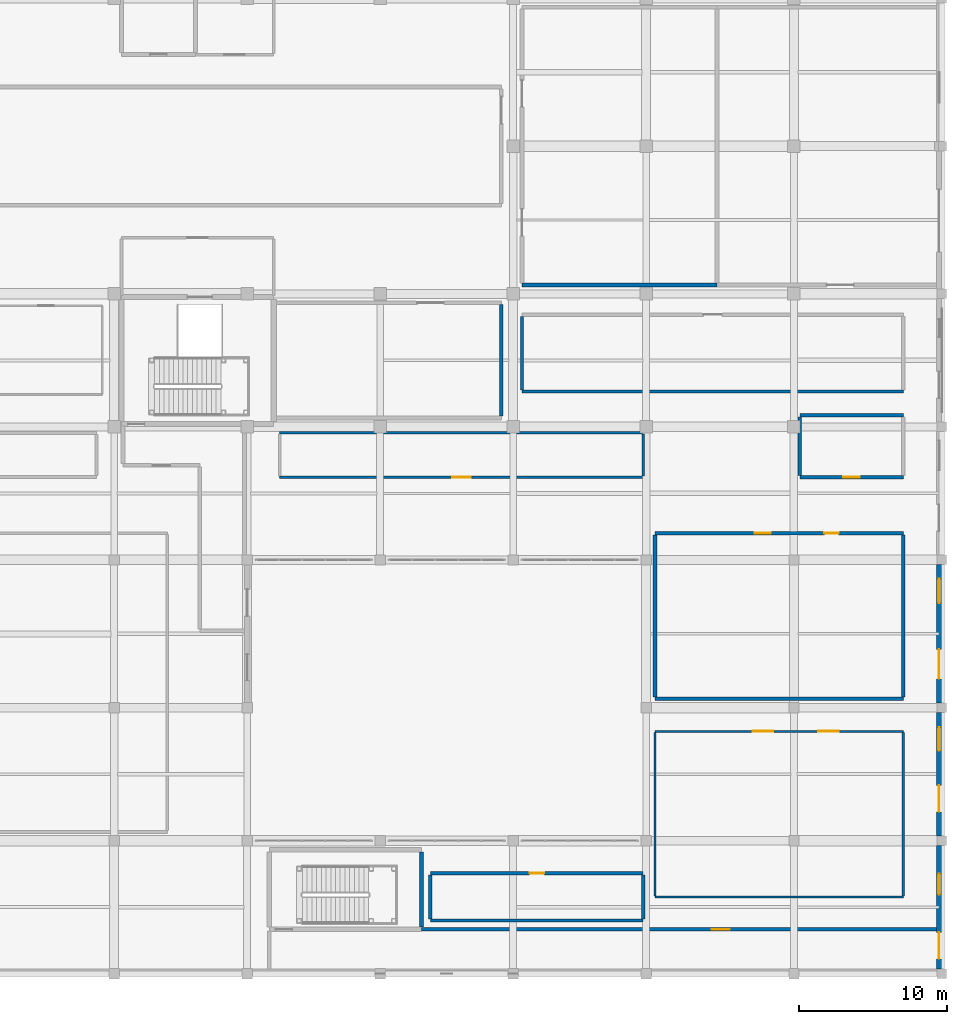
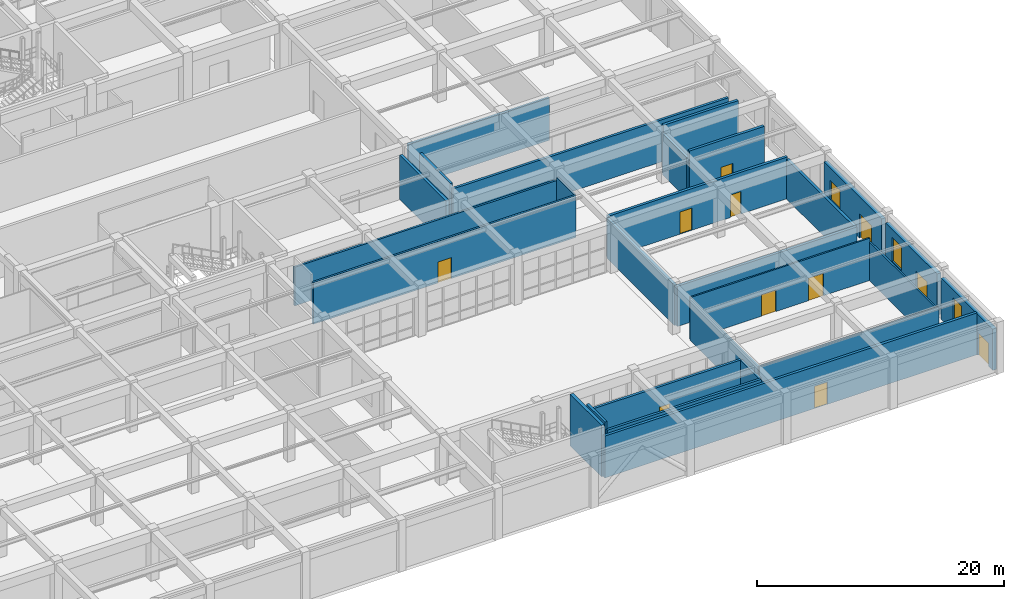
# One storey, part 111 of 128: 27 walls, 11 doors, 3 windows, 14 openings.
"""IFC4 building model written with IfcOpenShell, lengths in metres."""

from ifc_helpers import new_model, si_unit, direction, frame, frame_2d, origin, place, context, subcontext, project, spatial, rectangle, extrude, material, layer, layer_set, type_object, element, fill, save


model = new_model("IFC4")

# Units and contexts
model_context = context("Model", 3, precision=1e-05, world=origin(), true_north=direction((0.0, 1.0)))
body_context = subcontext(model_context, "Body", "Model", "MODEL_VIEW")
ifc_project = project(units=[si_unit("LENGTHUNIT", "METRE"), si_unit("AREAUNIT", "SQUARE_METRE"), si_unit("VOLUMEUNIT", "CUBIC_METRE"), si_unit("PLANEANGLEUNIT", "RADIAN"), si_unit("MASSUNIT", "GRAM", prefix="KILO")], contexts=[model_context])

# Site, building, storey
site_placement = place(None, origin())
site = spatial("IfcSite", under=ifc_project, at=site_placement, CompositionType="ELEMENT")
building_placement = place(site_placement, origin())
building = spatial("IfcBuilding", under=site, at=building_placement, Name="Miravela Opera House", CompositionType="ELEMENT")
storey_placement = place(building_placement, origin())
storey = spatial("IfcBuildingStorey", under=building, at=storey_placement, Name="L00", CompositionType="ELEMENT", Elevation=0.0)

# Wall, openings, door, window
ifc_material_1 = material(Name="Dark Guatemalan volcanic basalt stone ashlar", Category="masonry")
ifc_layer_1 = layer(ifc_material_1, 0.360107421875)
ifc_layer_set_1 = layer_set([ifc_layer_1])
wall_type_1 = type_object("IfcWallType", Name="ARC-EW-BASALT-360", PredefinedType="STANDARD", material=ifc_layer_set_1)
wall_1_placement = place(storey_placement, frame((163.820068359375, 0.324951171875, 0.0), z_axis=(0.0, 0.0, 1.0), x_axis=(0.0, 1.0, 0.0)))
wall_1 = element("IfcWall", 1, at=wall_1_placement, inside=storey, type_object=wall_type_1, Name="East Workshop Street Exit South Wall", PredefinedType="STANDARD", context=body_context, shape_type="SweptSolid", body=[
    extrude(rectangle(XDim=8.35009765625, YDim=0.360107421875, at=frame_2d((4.175048828125, 0.0))), origin(), (0.0, 0.0, 1.0), 4.080078125),
])
opening_1_placement = place(wall_1_placement, frame((0.675048828125, 0.0, 0.0)))
opening_1 = element("IfcOpeningElement", 2, at=opening_1_placement, cuts=wall_1, Name="Opening EX-02", PredefinedType="OPENING", context=body_context, shape_type="SweptSolid", body=[
    extrude(rectangle(XDim=1.800048828125, YDim=2.300048828125, at=frame_2d((0.89990234375, 1.14990234375))), frame((0.0, 0.18994140625, 0.0), z_axis=(0.0, -1.0, 0.0), x_axis=(1.0, 0.0, 0.0)), (0.0, 0.0, 1.0), 0.380126953125),
])
opening_2_placement = place(wall_1_placement, frame((5.02490234375, 0.0, 0.89990234375)))
opening_2 = element("IfcOpeningElement", 3, at=opening_2_placement, cuts=wall_1, Name="Opening W-08", PredefinedType="OPENING", context=body_context, shape_type="SweptSolid", body=[
    extrude(rectangle(XDim=1.39990234375, YDim=2.39990234375, at=frame_2d((0.699951171875, 1.199951171875))), frame((0.0, 0.18994140625, 0.0), z_axis=(0.0, -1.0, 0.0), x_axis=(1.0, 0.0, 0.0)), (0.0, 0.0, 1.0), 0.380126953125),
])
ifc_material_2 = material(Name="Anodised architectural bronze aluminium 6063-T6", Category="aluminium")
door_type_1 = type_object("IfcDoorType", Name="ARC-EXD-1800X2300", OperationType="NOTDEFINED", PredefinedType="DOOR", material=ifc_material_2)
door_1_placement = place(opening_1_placement, frame((1.800048828125, 0.0, 0.0), z_axis=(0.0, 0.0, 1.0), x_axis=(-1.0, 0.0, 0.0)))
door_1 = element("IfcDoor", 4, at=door_1_placement, inside=storey, type_object=door_type_1, Name="East Workshop Street Exit South EXD-L00-010", OperationType="DOUBLE_DOOR_SINGLE_SWING", OverallHeight=2.300048828125, OverallWidth=1.800048828125, PredefinedType="DOOR", context=body_context, shape_type="SweptSolid", body=[
    extrude(rectangle(XDim=1.800048828125, YDim=2.300048828125, at=frame_2d((0.89990234375, 1.14990234375))), frame((0.0, 0.02490234375, 0.0), z_axis=(0.0, -1.0, 0.0), x_axis=(1.0, 0.0, 0.0)), (0.0, 0.0, 1.0), 0.050048828125),
])
fill(opening_1, door_1)
ifc_material_3 = material(Name="Bronze-anodised aluminium and acoustic low-E glass", Category="aluminium")
window_type_1 = type_object("IfcWindowType", Name="ARC-WIN-08", PartitioningType="DOUBLE_PANEL_VERTICAL", PredefinedType="WINDOW", material=ifc_material_3)
window_1_placement = place(opening_2_placement, origin())
window_1 = element("IfcWindow", 5, at=window_1_placement, inside=storey, type_object=window_type_1, Name="Window W-08 #005", OverallHeight=2.39990234375, OverallWidth=1.39990234375, PartitioningType="DOUBLE_PANEL_VERTICAL", PredefinedType="WINDOW", context=body_context, shape_type="SweptSolid", body=[
    extrude(rectangle(XDim=1.39990234375, YDim=2.39990234375, at=frame_2d((0.699951171875, 1.199951171875))), frame((0.0, 0.030029296875, 0.0), z_axis=(0.0, -1.0, 0.0), x_axis=(1.0, 0.0, 0.0)), (0.0, 0.0, 1.0), 0.06005859375),
])
fill(opening_2, window_1)

wall_2_placement = place(storey_placement, frame((163.820068359375, 9.324951171875, 0.0), z_axis=(0.0, 0.0, 1.0), x_axis=(0.0, 1.0, 0.0)))
wall_2 = element("IfcWall", 6, at=wall_2_placement, inside=storey, type_object=wall_type_1, Name="East Scenery Wing Exit Wall", PredefinedType="STANDARD", context=body_context, shape_type="SweptSolid", body=[
    extrude(rectangle(XDim=8.35009765625, YDim=0.360107421875, at=frame_2d((4.175048828125, 0.0))), origin(), (0.0, 0.0, 1.0), 4.080078125),
])
opening_3_placement = place(wall_2_placement, frame((1.625, 0.0, 0.0)))
opening_3 = element("IfcOpeningElement", 7, at=opening_3_placement, cuts=wall_2, Name="Opening EX-02", PredefinedType="OPENING", context=body_context, shape_type="SweptSolid", body=[
    extrude(rectangle(XDim=1.800048828125, YDim=2.300048828125, at=frame_2d((0.89990234375, 1.14990234375))), frame((0.0, 0.18994140625, 0.0), z_axis=(0.0, -1.0, 0.0), x_axis=(1.0, 0.0, 0.0)), (0.0, 0.0, 1.0), 0.380126953125),
])
opening_4_placement = place(wall_2_placement, frame((5.75, 0.0, 0.89990234375)))
opening_4 = element("IfcOpeningElement", 8, at=opening_4_placement, cuts=wall_2, Name="Opening W-09", PredefinedType="OPENING", context=body_context, shape_type="SweptSolid", body=[
    extrude(rectangle(XDim=1.60009765625, YDim=2.39990234375, at=frame_2d((0.800048828125, 1.199951171875))), frame((0.0, 0.18994140625, 0.0), z_axis=(0.0, -1.0, 0.0), x_axis=(1.0, 0.0, 0.0)), (0.0, 0.0, 1.0), 0.380126953125),
])
door_2_placement = place(opening_3_placement, frame((1.800048828125, 0.0, 0.0), z_axis=(0.0, 0.0, 1.0), x_axis=(-1.0, 0.0, 0.0)))
door_2 = element("IfcDoor", 9, at=door_2_placement, inside=storey, type_object=door_type_1, Name="East Scenery Wing Exit EXD-L00-011", OperationType="DOUBLE_DOOR_SINGLE_SWING", OverallHeight=2.300048828125, OverallWidth=1.800048828125, PredefinedType="DOOR", context=body_context, shape_type="SweptSolid", body=[
    extrude(rectangle(XDim=1.800048828125, YDim=2.300048828125, at=frame_2d((0.89990234375, 1.14990234375))), frame((0.0, 0.02490234375, 0.0), z_axis=(0.0, -1.0, 0.0), x_axis=(1.0, 0.0, 0.0)), (0.0, 0.0, 1.0), 0.050048828125),
])
fill(opening_3, door_2)
window_type_2 = type_object("IfcWindowType", Name="ARC-WIN-09", PartitioningType="DOUBLE_PANEL_VERTICAL", PredefinedType="WINDOW", material=ifc_material_3)
window_2_placement = place(opening_4_placement, origin())
window_2 = element("IfcWindow", 10, at=window_2_placement, inside=storey, type_object=window_type_2, Name="Window W-09 #006", OverallHeight=2.39990234375, OverallWidth=1.60009765625, PartitioningType="DOUBLE_PANEL_VERTICAL", PredefinedType="WINDOW", context=body_context, shape_type="SweptSolid", body=[
    extrude(rectangle(XDim=1.60009765625, YDim=2.39990234375, at=frame_2d((0.800048828125, 1.199951171875))), frame((0.0, 0.030029296875, 0.0), z_axis=(0.0, -1.0, 0.0), x_axis=(1.0, 0.0, 0.0)), (0.0, 0.0, 1.0), 0.06005859375),
])
fill(opening_4, window_2)

wall_3_placement = place(storey_placement, frame((163.820068359375, 18.324951171875, 0.0), z_axis=(0.0, 0.0, 1.0), x_axis=(0.0, 1.0, 0.0)))
wall_3 = element("IfcWall", 11, at=wall_3_placement, inside=storey, type_object=wall_type_1, Name="East Stage Door Main Street Exit Wall", PredefinedType="STANDARD", context=body_context, shape_type="SweptSolid", body=[
    extrude(rectangle(XDim=9.35009765625, YDim=0.360107421875, at=frame_2d((4.675048828125, 0.0))), origin(), (0.0, 0.0, 1.0), 4.080078125),
])
opening_5_placement = place(wall_3_placement, frame((1.625, 0.0, 0.0)))
opening_5 = element("IfcOpeningElement", 12, at=opening_5_placement, cuts=wall_3, Name="Opening EX-01", PredefinedType="OPENING", context=body_context, shape_type="SweptSolid", body=[
    extrude(rectangle(XDim=2.0, YDim=2.39990234375, at=frame_2d((1.0, 1.199951171875))), frame((0.0, 0.18994140625, 0.0), z_axis=(0.0, -1.0, 0.0), x_axis=(1.0, 0.0, 0.0)), (0.0, 0.0, 1.0), 0.380126953125),
])
opening_6_placement = place(wall_3_placement, frame((6.75, 0.0, 0.89990234375)))
opening_6 = element("IfcOpeningElement", 13, at=opening_6_placement, cuts=wall_3, Name="Opening W-17", PredefinedType="OPENING", context=body_context, shape_type="SweptSolid", body=[
    extrude(rectangle(XDim=1.64990234375, YDim=1.949951171875, at=frame_2d((0.824951171875, 0.97509765625))), frame((0.0, 0.18994140625, 0.0), z_axis=(0.0, -1.0, 0.0), x_axis=(1.0, 0.0, 0.0)), (0.0, 0.0, 1.0), 0.380126953125),
])
door_type_2 = type_object("IfcDoorType", Name="ARC-EXD-2000X2400", OperationType="NOTDEFINED", PredefinedType="DOOR", material=ifc_material_2)
door_3_placement = place(opening_5_placement, frame((2.0, 0.0, 0.0), z_axis=(0.0, 0.0, 1.0), x_axis=(-1.0, 0.0, 0.0)))
door_3 = element("IfcDoor", 14, at=door_3_placement, inside=storey, type_object=door_type_2, Name="East Stage Door Main Street Exit EXD-L00-018", OperationType="DOUBLE_DOOR_SINGLE_SWING", OverallHeight=2.39990234375, OverallWidth=2.0, PredefinedType="DOOR", context=body_context, shape_type="SweptSolid", body=[
    extrude(rectangle(XDim=2.0, YDim=2.39990234375, at=frame_2d((1.0, 1.199951171875))), frame((0.0, 0.02490234375, 0.0), z_axis=(0.0, -1.0, 0.0), x_axis=(1.0, 0.0, 0.0)), (0.0, 0.0, 1.0), 0.050048828125),
])
fill(opening_5, door_3)
window_type_3 = type_object("IfcWindowType", Name="ARC-WIN-17", PartitioningType="DOUBLE_PANEL_VERTICAL", PredefinedType="WINDOW", material=ifc_material_3)
window_3_placement = place(opening_6_placement, origin())
window_3 = element("IfcWindow", 15, at=window_3_placement, inside=storey, type_object=window_type_3, Name="Window W-17 #013", OverallHeight=1.949951171875, OverallWidth=1.64990234375, PartitioningType="DOUBLE_PANEL_VERTICAL", PredefinedType="WINDOW", context=body_context, shape_type="SweptSolid", body=[
    extrude(rectangle(XDim=1.64990234375, YDim=1.949951171875, at=frame_2d((0.824951171875, 0.97509765625))), frame((0.0, 0.030029296875, 0.0), z_axis=(0.0, -1.0, 0.0), x_axis=(1.0, 0.0, 0.0)), (0.0, 0.0, 1.0), 0.06005859375),
])
fill(opening_6, window_3)

# Wall
ifc_material_4 = material(Name="Studio double-stud acoustic partition")
ifc_layer_2 = layer(ifc_material_4, 0.14990234375)
ifc_layer_set_2 = layer_set([ifc_layer_2])
wall_type_2 = type_object("IfcWallType", Name="ARC-PT-145", PredefinedType="PARTITIONING", material=ifc_layer_set_2)
wall_4_placement = place(storey_placement, frame((144.60009765625, 5.199951171875, 0.0), z_axis=(0.0, 0.0, 1.0), x_axis=(1.0, 0.0, 0.0)))
element("IfcWall", 16, at=wall_4_placement, inside=storey, type_object=wall_type_2, Name="Scenic Backcloth and Tapestry Atelier Partition South", PredefinedType="PARTITIONING", context=body_context, shape_type="SweptSolid", body=[
    extrude(rectangle(XDim=16.7998046875, YDim=0.14990234375, at=frame_2d((8.39990234375, 0.0))), origin(), (0.0, 0.0, 1.0), 4.14990234375),
])

# Wall, openings, doors
wall_5_placement = place(storey_placement, frame((144.60009765625, 16.39990234375, 0.0), z_axis=(0.0, 0.0, 1.0), x_axis=(1.0, 0.0, 0.0)))
wall_5 = element("IfcWall", 17, at=wall_5_placement, inside=storey, type_object=wall_type_2, Name="Scenic Backcloth and Tapestry Atelier Partition North", PredefinedType="PARTITIONING", context=body_context, shape_type="SweptSolid", body=[
    extrude(rectangle(XDim=16.7998046875, YDim=0.14990234375, at=frame_2d((8.39990234375, 0.0))), origin(), (0.0, 0.0, 1.0), 4.179931640625),
])
opening_7_placement = place(wall_5_placement, frame((6.616455078125, 0.0, 0.0)))
opening_7 = element("IfcOpeningElement", 18, at=opening_7_placement, cuts=wall_5, Name="Opening ID-35", PredefinedType="OPENING", context=body_context, shape_type="SweptSolid", body=[
    extrude(rectangle(XDim=1.3798828125, YDim=2.139892578125, at=frame_2d((0.68994140625, 1.06982421875))), frame((0.0, 0.0849609375, 0.0), z_axis=(0.0, -1.0, 0.0), x_axis=(1.0, 0.0, 0.0)), (0.0, 0.0, 1.0), 0.169921875),
])
opening_8_placement = place(wall_5_placement, frame((11.052001953125, 0.0, 0.0)))
opening_8 = element("IfcOpeningElement", 19, at=opening_8_placement, cuts=wall_5, Name="Opening ID-36", PredefinedType="OPENING", context=body_context, shape_type="SweptSolid", body=[
    extrude(rectangle(XDim=1.3798828125, YDim=2.219970703125, at=frame_2d((0.68994140625, 1.10986328125))), frame((0.0, 0.0849609375, 0.0), z_axis=(0.0, -1.0, 0.0), x_axis=(1.0, 0.0, 0.0)), (0.0, 0.0, 1.0), 0.169921875),
])
ifc_material_5 = material(Name="Hardwood acoustic timber door leaf", Category="wood")
door_type_3 = type_object("IfcDoorType", Name="ARC-IDR-138X214", OperationType="NOTDEFINED", PredefinedType="DOOR", material=ifc_material_5)
door_4_placement = place(opening_7_placement, frame((1.3798828125, 0.0, 0.0), z_axis=(0.0, 0.0, 1.0), x_axis=(-1.0, 0.0, 0.0)))
door_4 = element("IfcDoor", 20, at=door_4_placement, inside=storey, type_object=door_type_3, Name="Scenic Backcloth and Tapestry Atelier Entry Door IDR-L00-0138", OperationType="DOUBLE_DOOR_SINGLE_SWING", OverallHeight=2.139892578125, OverallWidth=1.3798828125, PredefinedType="DOOR", context=body_context, shape_type="SweptSolid", body=[
    extrude(rectangle(XDim=1.3798828125, YDim=2.139892578125, at=frame_2d((0.68994140625, 1.06982421875))), frame((0.0, 0.02490234375, 0.0), z_axis=(0.0, -1.0, 0.0), x_axis=(1.0, 0.0, 0.0)), (0.0, 0.0, 1.0), 0.050048828125),
])
fill(opening_7, door_4)
door_type_4 = type_object("IfcDoorType", Name="ARC-IDR-138X222", OperationType="NOTDEFINED", PredefinedType="DOOR", material=ifc_material_5)
door_5_placement = place(opening_8_placement, frame((1.3798828125, 0.0, 0.0), z_axis=(0.0, 0.0, 1.0), x_axis=(-1.0, 0.0, 0.0)))
door_5 = element("IfcDoor", 21, at=door_5_placement, inside=storey, type_object=door_type_4, Name="Scenic Backcloth and Tapestry Atelier Secondary Exit Door IDR-L00-0139", OperationType="DOUBLE_DOOR_SINGLE_SWING", OverallHeight=2.219970703125, OverallWidth=1.3798828125, PredefinedType="DOOR", context=body_context, shape_type="SweptSolid", body=[
    extrude(rectangle(XDim=1.3798828125, YDim=2.219970703125, at=frame_2d((0.68994140625, 1.10986328125))), frame((0.0, 0.02490234375, 0.0), z_axis=(0.0, -1.0, 0.0), x_axis=(1.0, 0.0, 0.0)), (0.0, 0.0, 1.0), 0.050048828125),
])
fill(opening_8, door_5)

# Walls
wall_6_placement = place(storey_placement, frame((144.60009765625, 5.27490234375, 0.0), z_axis=(0.0, 0.0, 1.0), x_axis=(0.0, 1.0, 0.0)))
element("IfcWall", 22, at=wall_6_placement, inside=storey, type_object=wall_type_2, Name="Scenic Backcloth and Tapestry Atelier Partition West", PredefinedType="PARTITIONING", context=body_context, shape_type="SweptSolid", body=[
    extrude(rectangle(XDim=11.050048828125, YDim=0.14990234375, at=frame_2d((5.52490234375, 0.0))), origin(), (0.0, 0.0, 1.0), 4.080078125),
])
wall_7_placement = place(storey_placement, frame((161.39990234375, 5.27490234375, 0.0), z_axis=(0.0, 0.0, 1.0), x_axis=(0.0, 1.0, 0.0)))
element("IfcWall", 23, at=wall_7_placement, inside=storey, type_object=wall_type_2, Name="Scenic Backcloth and Tapestry Atelier Partition East", PredefinedType="PARTITIONING", context=body_context, shape_type="SweptSolid", body=[
    extrude(rectangle(XDim=11.050048828125, YDim=0.14990234375, at=frame_2d((5.52490234375, 0.0))), origin(), (0.0, 0.0, 1.0), 3.830078125),
])

# Wall, opening, door
ifc_material_6 = material(Name="Corridor fire-resisting masonry partition", Category="masonry")
ifc_layer_3 = layer(ifc_material_6, 0.18994140625)
ifc_layer_set_3 = layer_set([ifc_layer_3])
wall_type_3 = type_object("IfcWallType", Name="ARC-PT-190", PredefinedType="PARTITIONING", material=ifc_layer_set_3)
wall_8_placement = place(storey_placement, frame((119.199951171875, 33.60009765625, 0.0), z_axis=(0.0, 0.0, 1.0), x_axis=(1.0, 0.0, 0.0)))
wall_8 = element("IfcWall", 24, at=wall_8_placement, inside=storey, type_object=wall_type_3, Name="Stage Carpentry Assembly Annex Partition South", PredefinedType="PARTITIONING", context=body_context, shape_type="SweptSolid", body=[
    extrude(rectangle(XDim=24.60009765625, YDim=0.18994140625, at=frame_2d((12.300048828125, 0.0))), origin(), (0.0, 0.0, 1.0), 4.1298828125),
])
opening_9_placement = place(wall_8_placement, frame((11.669921875, 0.0, 0.0)))
opening_9 = element("IfcOpeningElement", 25, at=opening_9_placement, cuts=wall_8, Name="Opening ID-28", PredefinedType="OPENING", context=body_context, shape_type="SweptSolid", body=[
    extrude(rectangle(XDim=1.260009765625, YDim=2.080078125, at=frame_2d((0.6298828125, 1.0400390625))), frame((0.0, 0.10498046875, 0.0), z_axis=(0.0, -1.0, 0.0), x_axis=(1.0, 0.0, 0.0)), (0.0, 0.0, 1.0), 0.2099609375),
])
door_type_5 = type_object("IfcDoorType", Name="ARC-IDR-126X208", OperationType="NOTDEFINED", PredefinedType="DOOR", material=ifc_material_5)
door_6_placement = place(opening_9_placement, frame((1.260009765625, 0.0, 0.0), z_axis=(0.0, 0.0, 1.0), x_axis=(-1.0, 0.0, 0.0)))
door_6 = element("IfcDoor", 26, at=door_6_placement, inside=storey, type_object=door_type_5, Name="Stage Carpentry Assembly Annex Entry Door IDR-L00-0131", OperationType="SINGLE_SWING_RIGHT", OverallHeight=2.080078125, OverallWidth=1.260009765625, PredefinedType="DOOR", context=body_context, shape_type="SweptSolid", body=[
    extrude(rectangle(XDim=1.260009765625, YDim=2.080078125, at=frame_2d((0.6298828125, 1.0400390625))), frame((0.0, 0.02490234375, 0.0), z_axis=(0.0, -1.0, 0.0), x_axis=(1.0, 0.0, 0.0)), (0.0, 0.0, 1.0), 0.050048828125),
])
fill(opening_9, door_6)

# Walls
wall_9_placement = place(storey_placement, frame((119.199951171875, 36.60009765625, 0.0), z_axis=(0.0, 0.0, 1.0), x_axis=(1.0, 0.0, 0.0)))
element("IfcWall", 27, at=wall_9_placement, inside=storey, type_object=wall_type_3, Name="Stage Carpentry Assembly Annex Partition North", PredefinedType="PARTITIONING", context=body_context, shape_type="SweptSolid", body=[
    extrude(rectangle(XDim=24.60009765625, YDim=0.18994140625, at=frame_2d((12.300048828125, 0.0))), origin(), (0.0, 0.0, 1.0), 3.830078125),
])
wall_10_placement = place(storey_placement, frame((143.800048828125, 33.695068359375, 0.0), z_axis=(0.0, 0.0, 1.0), x_axis=(0.0, 1.0, 0.0)))
element("IfcWall", 28, at=wall_10_placement, inside=storey, type_object=wall_type_3, Name="Stage Carpentry Assembly Annex Partition East", PredefinedType="PARTITIONING", context=body_context, shape_type="SweptSolid", body=[
    extrude(rectangle(XDim=2.809814453125, YDim=0.18994140625, at=frame_2d((1.40478515625, 0.0))), origin(), (0.0, 0.0, 1.0), 4.1298828125),
])
ifc_material_7 = material(Name="High-STC auditorium lobby partition")
ifc_layer_4 = layer(ifc_material_7, 0.22998046875)
ifc_layer_set_4 = layer_set([ifc_layer_4])
wall_type_4 = type_object("IfcWallType", Name="ARC-PT-205", PredefinedType="PARTITIONING", material=ifc_layer_set_4)
wall_11_placement = place(storey_placement, frame((129.39990234375, 3.60009765625, 0.0), z_axis=(0.0, 0.0, 1.0), x_axis=(1.0, 0.0, 0.0)))
element("IfcWall", 29, at=wall_11_placement, inside=storey, type_object=wall_type_4, Name="Scenic Paint and Prop Workshop Partition South", PredefinedType="PARTITIONING", context=body_context, shape_type="SweptSolid", body=[
    extrude(rectangle(XDim=14.400146484375, YDim=0.22998046875, at=frame_2d((7.2001953125, 0.0))), origin(), (0.0, 0.0, 1.0), 4.14990234375),
])

# Wall, opening, door
wall_12_placement = place(storey_placement, frame((129.39990234375, 6.800048828125, 0.0), z_axis=(0.0, 0.0, 1.0), x_axis=(1.0, 0.0, 0.0)))
wall_12 = element("IfcWall", 30, at=wall_12_placement, inside=storey, type_object=wall_type_4, Name="Scenic Paint and Prop Workshop Partition North", PredefinedType="PARTITIONING", context=body_context, shape_type="SweptSolid", body=[
    extrude(rectangle(XDim=14.400146484375, YDim=0.22998046875, at=frame_2d((7.2001953125, 0.0))), origin(), (0.0, 0.0, 1.0), 4.14990234375),
])
opening_10_placement = place(wall_12_placement, frame((6.7099609375, 0.0, 0.0)))
opening_10 = element("IfcOpeningElement", 31, at=opening_10_placement, cuts=wall_12, Name="Opening ID-14", PredefinedType="OPENING", context=body_context, shape_type="SweptSolid", body=[
    extrude(rectangle(XDim=0.97998046875, YDim=2.139892578125, at=frame_2d((0.489990234375, 1.06982421875))), frame((0.0, 0.125, 0.0), z_axis=(0.0, -1.0, 0.0), x_axis=(1.0, 0.0, 0.0)), (0.0, 0.0, 1.0), 0.25),
])
door_type_6 = type_object("IfcDoorType", Name="ARC-IDR-98X214", OperationType="NOTDEFINED", PredefinedType="DOOR", material=ifc_material_5)
door_7_placement = place(opening_10_placement, frame((0.97998046875, 0.0, 0.0), z_axis=(0.0, 0.0, 1.0), x_axis=(-1.0, 0.0, 0.0)))
door_7 = element("IfcDoor", 32, at=door_7_placement, inside=storey, type_object=door_type_6, Name="Scenic Paint and Prop Workshop Entry Door IDR-L00-0111", OperationType="SINGLE_SWING_RIGHT", OverallHeight=2.139892578125, OverallWidth=0.97998046875, PredefinedType="DOOR", context=body_context, shape_type="SweptSolid", body=[
    extrude(rectangle(XDim=0.97998046875, YDim=2.139892578125, at=frame_2d((0.489990234375, 1.06982421875))), frame((0.0, 0.02490234375, 0.0), z_axis=(0.0, -1.0, 0.0), x_axis=(1.0, 0.0, 0.0)), (0.0, 0.0, 1.0), 0.050048828125),
])
fill(opening_10, door_7)

# Walls
wall_13_placement = place(storey_placement, frame((129.39990234375, 3.715087890625, 0.0), z_axis=(0.0, 0.0, 1.0), x_axis=(0.0, 1.0, 0.0)))
element("IfcWall", 33, at=wall_13_placement, inside=storey, type_object=wall_type_4, Name="Scenic Paint and Prop Workshop Partition West", PredefinedType="PARTITIONING", context=body_context, shape_type="SweptSolid", body=[
    extrude(rectangle(XDim=2.969970703125, YDim=0.22998046875, at=frame_2d((1.48486328125, 0.0))), origin(), (0.0, 0.0, 1.0), 4.85009765625),
])
wall_14_placement = place(storey_placement, frame((143.800048828125, 3.715087890625, 0.0), z_axis=(0.0, 0.0, 1.0), x_axis=(0.0, 1.0, 0.0)))
element("IfcWall", 34, at=wall_14_placement, inside=storey, type_object=wall_type_4, Name="Scenic Paint and Prop Workshop Partition East", PredefinedType="PARTITIONING", context=body_context, shape_type="SweptSolid", body=[
    extrude(rectangle(XDim=2.969970703125, YDim=0.22998046875, at=frame_2d((1.48486328125, 0.0))), origin(), (0.0, 0.0, 1.0), 4.14990234375),
])
wall_15_placement = place(storey_placement, frame((135.60009765625, 39.39990234375, 0.0), z_axis=(0.0, 0.0, 1.0), x_axis=(1.0, 0.0, 0.0)))
element("IfcWall", 35, at=wall_15_placement, inside=storey, type_object=wall_type_4, Name="Stage Prop Fabrication Workshop Partition South", PredefinedType="PARTITIONING", context=body_context, shape_type="SweptSolid", body=[
    extrude(rectangle(XDim=25.7998046875, YDim=0.22998046875, at=frame_2d((12.89990234375, 0.0))), origin(), (0.0, 0.0, 1.0), 4.14990234375),
])
wall_16_placement = place(storey_placement, frame((135.60009765625, 39.514892578125, 0.0), z_axis=(0.0, 0.0, 1.0), x_axis=(0.0, 1.0, 0.0)))
element("IfcWall", 36, at=wall_16_placement, inside=storey, type_object=wall_type_4, Name="Stage Prop Fabrication Workshop Partition West", PredefinedType="PARTITIONING", context=body_context, shape_type="SweptSolid", body=[
    extrude(rectangle(XDim=4.97021484375, YDim=0.22998046875, at=frame_2d((2.485107421875, 0.0))), origin(), (0.0, 0.0, 1.0), 4.5830078125),
])
ifc_material_8 = material(Name="Firefighting lobby compartment wall")
ifc_layer_5 = layer(ifc_material_8, 0.25)
ifc_layer_set_5 = layer_set([ifc_layer_5])
wall_type_5 = type_object("IfcWallType", Name="ARC-PT-220", PredefinedType="PARTITIONING", material=ifc_layer_set_5)
wall_17_placement = place(storey_placement, frame((134.199951171875, 37.72509765625, 0.0), z_axis=(0.0, 0.0, 1.0), x_axis=(0.0, 1.0, 0.0)))
element("IfcWall", 37, at=wall_17_placement, inside=storey, type_object=wall_type_5, Name="South Side Stage Partition East", PredefinedType="PARTITIONING", context=body_context, shape_type="SweptSolid", body=[
    extrude(rectangle(XDim=7.5498046875, YDim=0.25, at=frame_2d((3.77490234375, 0.0))), origin(), (0.0, 0.0, 1.0), 4.423095703125),
])
wall_18_placement = place(storey_placement, frame((135.60009765625, 46.60009765625, 0.0), z_axis=(0.0, 0.0, 1.0), x_axis=(1.0, 0.0, 0.0)))
element("IfcWall", 38, at=wall_18_placement, inside=storey, type_object=wall_type_5, Name="Rear Opera Stage Partition South", PredefinedType="PARTITIONING", context=body_context, shape_type="SweptSolid", body=[
    extrude(rectangle(XDim=13.199951171875, YDim=0.25, at=frame_2d((6.60009765625, 0.0))), origin(), (0.0, 0.0, 1.0), 4.179931640625),
])
wall_19_placement = place(storey_placement, frame((144.60009765625, 18.60009765625, 0.0), z_axis=(0.0, 0.0, 1.0), x_axis=(1.0, 0.0, 0.0)))
element("IfcWall", 39, at=wall_19_placement, inside=storey, type_object=wall_type_5, Name="Stage Door Reception and Security Office Partition South", PredefinedType="PARTITIONING", context=body_context, shape_type="SweptSolid", body=[
    extrude(rectangle(XDim=16.7998046875, YDim=0.25, at=frame_2d((8.39990234375, 0.0))), origin(), (0.0, 0.0, 1.0), 3.97998046875),
])

# Wall, openings, doors
wall_20_placement = place(storey_placement, frame((144.60009765625, 29.800048828125, 0.0), z_axis=(0.0, 0.0, 1.0), x_axis=(1.0, 0.0, 0.0)))
wall_20 = element("IfcWall", 40, at=wall_20_placement, inside=storey, type_object=wall_type_5, Name="Stage Door Reception and Security Office Partition North", PredefinedType="PARTITIONING", context=body_context, shape_type="SweptSolid", body=[
    extrude(rectangle(XDim=16.7998046875, YDim=0.25, at=frame_2d((8.39990234375, 0.0))), origin(), (0.0, 0.0, 1.0), 4.1298828125),
])
opening_11_placement = place(wall_20_placement, frame((6.735595703125, 0.0, 0.0)))
opening_11 = element("IfcOpeningElement", 41, at=opening_11_placement, cuts=wall_20, Name="Opening ID-03", PredefinedType="OPENING", context=body_context, shape_type="SweptSolid", body=[
    extrude(rectangle(XDim=1.10009765625, YDim=2.199951171875, at=frame_2d((0.550048828125, 1.10009765625))), frame((0.0, 0.135009765625, 0.0), z_axis=(0.0, -1.0, 0.0), x_axis=(1.0, 0.0, 0.0)), (0.0, 0.0, 1.0), 0.27001953125),
])
opening_12_placement = place(wall_20_placement, frame((11.451904296875, 0.0, 0.0)))
opening_12 = element("IfcOpeningElement", 42, at=opening_12_placement, cuts=wall_20, Name="Opening ID-15", PredefinedType="OPENING", context=body_context, shape_type="SweptSolid", body=[
    extrude(rectangle(XDim=0.97998046875, YDim=2.219970703125, at=frame_2d((0.489990234375, 1.10986328125))), frame((0.0, 0.135009765625, 0.0), z_axis=(0.0, -1.0, 0.0), x_axis=(1.0, 0.0, 0.0)), (0.0, 0.0, 1.0), 0.27001953125),
])
ifc_material_9 = material(Name="Acoustic hardwood studio door", Category="wood")
door_type_7 = type_object("IfcDoorType", Name="ARC-DR-1100X2200", OperationType="NOTDEFINED", PredefinedType="DOOR", material=ifc_material_9)
door_8_placement = place(opening_11_placement, origin())
door_8 = element("IfcDoor", 43, at=door_8_placement, inside=storey, type_object=door_type_7, Name="Stage Door Reception and Security Office Entry Door IDR-L00-0112", OperationType="SINGLE_SWING_LEFT", OverallHeight=2.199951171875, OverallWidth=1.10009765625, PredefinedType="DOOR", context=body_context, shape_type="SweptSolid", body=[
    extrude(rectangle(XDim=1.10009765625, YDim=2.199951171875, at=frame_2d((0.550048828125, 1.10009765625))), frame((0.0, 0.02490234375, 0.0), z_axis=(0.0, -1.0, 0.0), x_axis=(1.0, 0.0, 0.0)), (0.0, 0.0, 1.0), 0.050048828125),
])
fill(opening_11, door_8)
door_type_8 = type_object("IfcDoorType", Name="ARC-IDR-98X222", OperationType="NOTDEFINED", PredefinedType="DOOR", material=ifc_material_5)
door_9_placement = place(opening_12_placement, origin())
door_9 = element("IfcDoor", 44, at=door_9_placement, inside=storey, type_object=door_type_8, Name="Stage Door Reception and Security Office Secondary Exit Door IDR-L00-0113", OperationType="SINGLE_SWING_RIGHT", OverallHeight=2.219970703125, OverallWidth=0.97998046875, PredefinedType="DOOR", context=body_context, shape_type="SweptSolid", body=[
    extrude(rectangle(XDim=0.97998046875, YDim=2.219970703125, at=frame_2d((0.489990234375, 1.10986328125))), frame((0.0, 0.02490234375, 0.0), z_axis=(0.0, -1.0, 0.0), x_axis=(1.0, 0.0, 0.0)), (0.0, 0.0, 1.0), 0.050048828125),
])
fill(opening_12, door_9)

# Walls
wall_21_placement = place(storey_placement, frame((144.60009765625, 18.72509765625, 0.0), z_axis=(0.0, 0.0, 1.0), x_axis=(0.0, 1.0, 0.0)))
element("IfcWall", 45, at=wall_21_placement, inside=storey, type_object=wall_type_5, Name="Stage Door Reception and Security Office Partition West", PredefinedType="PARTITIONING", context=body_context, shape_type="SweptSolid", body=[
    extrude(rectangle(XDim=10.949951171875, YDim=0.25, at=frame_2d((5.47509765625, 0.0))), origin(), (0.0, 0.0, 1.0), 3.97998046875),
])
wall_22_placement = place(storey_placement, frame((161.39990234375, 18.72509765625, 0.0), z_axis=(0.0, 0.0, 1.0), x_axis=(0.0, 1.0, 0.0)))
element("IfcWall", 46, at=wall_22_placement, inside=storey, type_object=wall_type_5, Name="Stage Door Reception and Security Office Partition East", PredefinedType="PARTITIONING", context=body_context, shape_type="SweptSolid", body=[
    extrude(rectangle(XDim=10.949951171875, YDim=0.25, at=frame_2d((5.47509765625, 0.0))), origin(), (0.0, 0.0, 1.0), 3.929931640625),
])

# Wall, opening, door
wall_23_placement = place(storey_placement, frame((154.39990234375, 33.60009765625, 0.0), z_axis=(0.0, 0.0, 1.0), x_axis=(1.0, 0.0, 0.0)))
wall_23 = element("IfcWall", 47, at=wall_23_placement, inside=storey, type_object=wall_type_5, Name="Fire Command Room Partition South", PredefinedType="PARTITIONING", context=body_context, shape_type="SweptSolid", body=[
    extrude(rectangle(XDim=7.0, YDim=0.25, at=frame_2d((3.5, 0.0))), origin(), (0.0, 0.0, 1.0), 4.85009765625),
])
opening_13_placement = place(wall_23_placement, frame((2.949951171875, 0.0, 0.0)))
opening_13 = element("IfcOpeningElement", 48, at=opening_13_placement, cuts=wall_23, Name="Opening FD-01", PredefinedType="OPENING", context=body_context, shape_type="SweptSolid", body=[
    extrude(rectangle(XDim=1.10009765625, YDim=2.199951171875, at=frame_2d((0.550048828125, 1.10009765625))), frame((0.0, 0.135009765625, 0.0), z_axis=(0.0, -1.0, 0.0), x_axis=(1.0, 0.0, 0.0)), (0.0, 0.0, 1.0), 0.27001953125),
])
ifc_material_10 = material(Name="Fire-rated steel/hardwood exit stair door", Category="steel")
door_type_9 = type_object("IfcDoorType", Name="ARC-FD-1100X2200", OperationType="NOTDEFINED", PredefinedType="DOOR", material=ifc_material_10)
door_10_placement = place(opening_13_placement, frame((1.10009765625, 0.0, 0.0), z_axis=(0.0, 0.0, 1.0), x_axis=(-1.0, 0.0, 0.0)))
door_10 = element("IfcDoor", 49, at=door_10_placement, inside=storey, type_object=door_type_9, Name="Fire Command Room Entry Door IDR-L00-0114", OperationType="SINGLE_SWING_LEFT", OverallHeight=2.199951171875, OverallWidth=1.10009765625, PredefinedType="DOOR", context=body_context, shape_type="SweptSolid", body=[
    extrude(rectangle(XDim=1.10009765625, YDim=2.199951171875, at=frame_2d((0.550048828125, 1.10009765625))), frame((0.0, 0.02490234375, 0.0), z_axis=(0.0, -1.0, 0.0), x_axis=(1.0, 0.0, 0.0)), (0.0, 0.0, 1.0), 0.050048828125),
])
fill(opening_13, door_10)

# Walls
wall_24_placement = place(storey_placement, frame((154.39990234375, 37.800048828125, 0.0), z_axis=(0.0, 0.0, 1.0), x_axis=(1.0, 0.0, 0.0)))
element("IfcWall", 50, at=wall_24_placement, inside=storey, type_object=wall_type_5, Name="Fire Command Room Partition North", PredefinedType="PARTITIONING", context=body_context, shape_type="SweptSolid", body=[
    extrude(rectangle(XDim=7.0, YDim=0.25, at=frame_2d((3.5, 0.0))), origin(), (0.0, 0.0, 1.0), 4.85009765625),
])
wall_25_placement = place(storey_placement, frame((154.39990234375, 33.72509765625, 0.0), z_axis=(0.0, 0.0, 1.0), x_axis=(0.0, 1.0, 0.0)))
element("IfcWall", 51, at=wall_25_placement, inside=storey, type_object=wall_type_5, Name="Fire Command Room Partition West", PredefinedType="PARTITIONING", context=body_context, shape_type="SweptSolid", body=[
    extrude(rectangle(XDim=3.949951171875, YDim=0.25, at=frame_2d((1.97509765625, 0.0))), origin(), (0.0, 0.0, 1.0), 4.080078125),
])

# Wall, opening, door
wall_26_placement = place(storey_placement, frame((163.639892578125, 3.0, 0.0), z_axis=(0.0, 0.0, 1.0), x_axis=(-1.0, 0.0, 0.0)))
wall_26 = element("IfcWall", 52, at=wall_26_placement, inside=storey, type_object=wall_type_5, Name="Protected Exit Passageway ST-10 Partition Seg3", PredefinedType="PARTITIONING", context=body_context, shape_type="SweptSolid", body=[
    extrude(rectangle(XDim=34.83984375, YDim=0.25, at=frame_2d((17.419921875, 0.0))), origin(), (0.0, 0.0, 1.0), 4.14990234375),
])
opening_14_placement = place(wall_26_placement, frame((14.0, 0.0, 0.0)))
opening_14 = element("IfcOpeningElement", 53, at=opening_14_placement, cuts=wall_26, Name="Opening FD-02", PredefinedType="OPENING", context=body_context, shape_type="SweptSolid", body=[
    extrude(rectangle(XDim=1.199951171875, YDim=2.199951171875, at=frame_2d((0.60009765625, 1.10009765625))), frame((0.0, 0.135009765625, 0.0), z_axis=(0.0, -1.0, 0.0), x_axis=(1.0, 0.0, 0.0)), (0.0, 0.0, 1.0), 0.27001953125),
])
ifc_material_11 = material(Name="Fire-rated gallery/plant exit door")
door_type_10 = type_object("IfcDoorType", Name="ARC-FD-1200X2200", OperationType="NOTDEFINED", PredefinedType="DOOR", material=ifc_material_11)
door_11_placement = place(opening_14_placement, frame((1.199951171875, 0.0, 0.0), z_axis=(0.0, 0.0, 1.0), x_axis=(-1.0, 0.0, 0.0)))
door_11 = element("IfcDoor", 54, at=door_11_placement, inside=storey, type_object=door_type_10, Name="Protected Exit Passageway ST-10 Concourse Fire Door IDR-L00-0150", OperationType="SINGLE_SWING_RIGHT", OverallHeight=2.199951171875, OverallWidth=1.199951171875, PredefinedType="DOOR", context=body_context, shape_type="SweptSolid", body=[
    extrude(rectangle(XDim=1.199951171875, YDim=2.199951171875, at=frame_2d((0.60009765625, 1.10009765625))), frame((0.0, 0.02490234375, 0.0), z_axis=(0.0, -1.0, 0.0), x_axis=(1.0, 0.0, 0.0)), (0.0, 0.0, 1.0), 0.050048828125),
])
fill(opening_14, door_11)

# Wall
ifc_material_12 = material(Name="Concrete C35/45", Category="concrete")
ifc_layer_6 = layer(ifc_material_12, 0.300048828125)
ifc_layer_set_6 = layer_set([ifc_layer_6])
wall_type_6 = type_object("IfcWallType", Name="STR-WALL-WING-300", PredefinedType="SHEAR", material=ifc_layer_set_6)
wall_27_placement = place(storey_placement, frame((128.800048828125, 3.14990234375, 0.0), z_axis=(0.0, 0.0, 1.0), x_axis=(0.0, 1.0, 0.0)))
element("IfcWall", 55, at=wall_27_placement, inside=storey, type_object=wall_type_6, Name="Core ST-10 Shear Wall East (L00)", PredefinedType="SHEAR", context=body_context, shape_type="SweptSolid", body=[
    extrude(rectangle(XDim=5.10009765625, YDim=0.300048828125, at=frame_2d((2.550048828125, 0.0))), origin(), (0.0, 0.0, 1.0), 5.10009765625),
])

save(model, "model.ifc")
